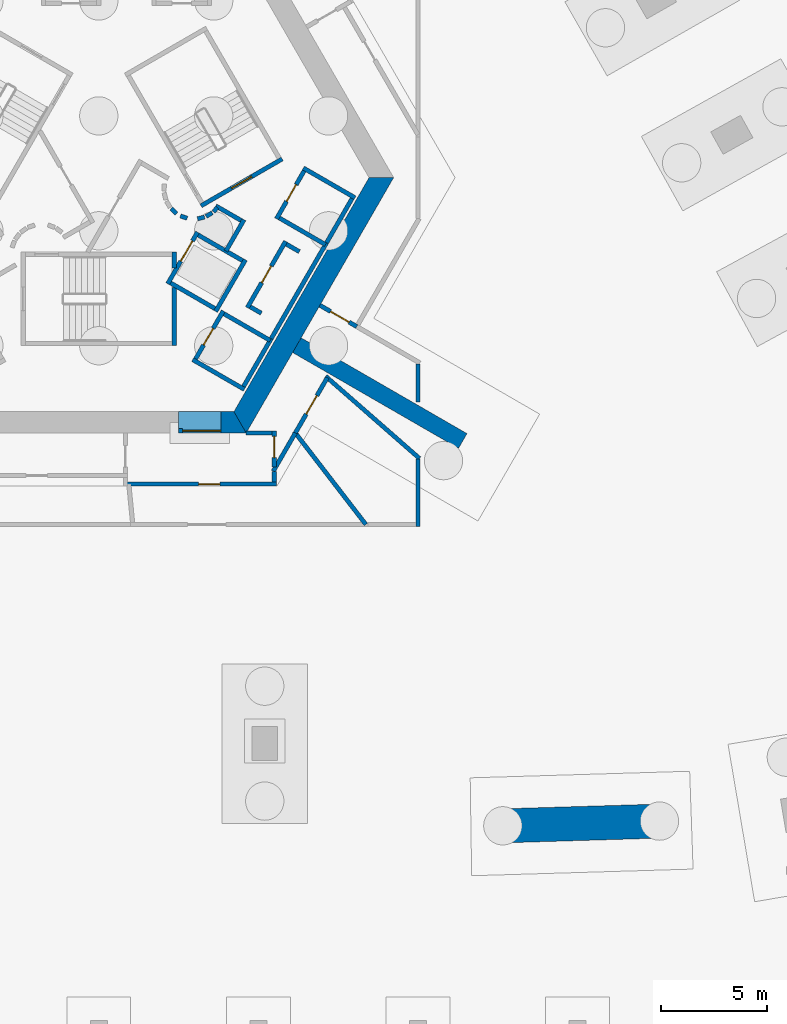
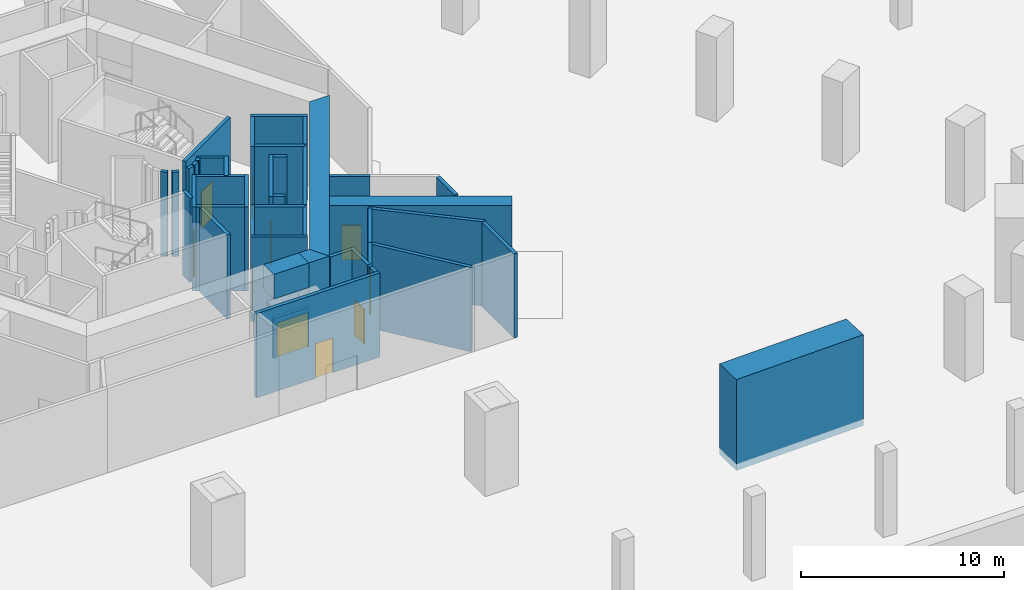
# One storey, part 7 of 14: 43 walls, 10 doors, 10 openings.
"""IFC4 building model written with IfcOpenShell, lengths in metres."""

from ifc_helpers import new_model, si_unit, direction, frame, frame_2d, origin, place, context, subcontext, project, spatial, polyline, rectangle, outline, extrude, material, layer, layer_set, type_object, element, fill, save


model = new_model("IFC4")

# Units and contexts
model_context = context("Model", 3, precision=1e-05, world=origin(), true_north=direction((0.0, 1.0)))
body_context = subcontext(model_context, "Body", "Model", "MODEL_VIEW")
ifc_project = project(units=[si_unit("LENGTHUNIT", "METRE"), si_unit("AREAUNIT", "SQUARE_METRE"), si_unit("VOLUMEUNIT", "CUBIC_METRE"), si_unit("PLANEANGLEUNIT", "RADIAN"), si_unit("MASSUNIT", "GRAM", prefix="KILO")], contexts=[model_context])

# Site, building, storey
site_placement = place(None, origin())
site = spatial("IfcSite", under=ifc_project, at=site_placement, CompositionType="ELEMENT")
building_placement = place(site_placement, origin())
building = spatial("IfcBuilding", under=site, at=building_placement, Name="Entoto Arch Interchange Tower", CompositionType="ELEMENT")
storey_placement = place(building_placement, frame((0.0, 0.0, -16.5)))
storey = spatial("IfcBuildingStorey", under=building, at=storey_placement, Name="B3", CompositionType="ELEMENT", Elevation=-16.5)

# Walls
ifc_material_1 = material(Name="Concrete C60/75", Category="concrete")
ifc_layer_1 = layer(ifc_material_1, 1.60009765625)
ifc_layer_set_1 = layer_set([ifc_layer_1], Name="Concrete C60/75")
wall_type_1 = type_object("IfcWallType", Name="Arch leg wall 1600 C60/75", PredefinedType="SHEAR", material=ifc_layer_set_1)
wall_1_placement = place(storey_placement, frame((0.0, 0.0, -0.39990234375)))
element("IfcWall", 1, at=wall_1_placement, inside=storey, type_object=wall_type_1, Name="Arch leg E B3", PredefinedType="SHEAR", context=body_context, shape_type="SweptSolid", body=[
    extrude(outline(polyline([(19.0, -28.761962890625), (26.376953125, -28.5400390625), (26.321044921875, -26.94091796875), (18.97607421875, -27.162109375), (19.0, -28.761962890625)])), origin(), (0.0, 0.0, 1.0), 5.47998046875),
])
ifc_layer_2 = layer(ifc_material_1, 0.800048828125)
ifc_layer_set_2 = layer_set([ifc_layer_2], Name="Concrete C60/75")
wall_type_2 = type_object("IfcWallType", Name="Buttress wall 800 C60/75", PredefinedType="SHEAR", material=ifc_layer_set_2)
wall_2_placement = place(storey_placement, frame((9.31005859375, -5.375, 0.0), z_axis=(0.0, 0.0, 1.0), x_axis=(0.866017533419, -0.500013631625, 0.0)))
element("IfcWall", 2, at=wall_2_placement, inside=storey, type_object=wall_type_2, Name="Buttress wall SE B3", PredefinedType="SHEAR", context=body_context, shape_type="SweptSolid", body=[
    extrude(rectangle(XDim=8.999755859375, YDim=0.800048828125, at=frame_2d((4.5, 0.0))), origin(), (0.0, 0.0, 1.0), 5.080078125),
])

# Wall, opening, door
ifc_material_2 = material(Name="Reinforced concrete C40/50", Category="concrete")
ifc_layer_3 = layer(ifc_material_2, 0.199951171875)
ifc_layer_set_3 = layer_set([ifc_layer_3], Name="Reinforced concrete C40/50")
wall_type_3 = type_object("IfcWallType", Name="CORE GAP INFILL WALL", PredefinedType="PARTITIONING", material=ifc_layer_set_3)
wall_3_placement = place(storey_placement, frame((3.75, -9.39990234375, 0.0), z_axis=(0.0, 0.0, 1.0), x_axis=(1.0, 0.0, 0.0)))
wall_3 = element("IfcWall", 3, at=wall_3_placement, inside=storey, type_object=wall_type_3, Name="wall:B3:gap1", PredefinedType="PARTITIONING", context=body_context, shape_type="SweptSolid", body=[
    extrude(rectangle(XDim=2.0, YDim=0.199951171875, at=frame_2d((1.0, 0.0))), origin(), (0.0, 0.0, 1.0), 2.39990234375),
])
opening_1_placement = place(wall_3_placement, frame((0.18994140625, 0.0, 0.0)))
opening_1 = element("IfcOpeningElement", 4, at=opening_1_placement, cuts=wall_3, Name="Opening B3-D91", PredefinedType="OPENING", context=body_context, shape_type="SweptSolid", body=[
    extrude(rectangle(XDim=1.800048828125, YDim=2.10009765625, at=frame_2d((0.89990234375, 1.050048828125))), frame((0.0, 0.10986328125, 0.0), z_axis=(0.0, -1.0, 0.0), x_axis=(1.0, 0.0, 0.0)), (0.0, 0.0, 1.0), 0.219970703125),
])
ifc_material_3 = material(Name="Fire-rated Steel S235 door and frame", Category="steel")
door_type_1 = type_object("IfcDoorType", Name="DOOR FD-18 1800x2100", OperationType="DOUBLE_DOOR_SINGLE_SWING", PredefinedType="DOOR", material=ifc_material_3)
door_1_placement = place(opening_1_placement, origin())
door_1 = element("IfcDoor", 5, at=door_1_placement, inside=storey, type_object=door_type_1, Name="door:B3:gap1", OperationType="DOUBLE_DOOR_SINGLE_SWING", OverallHeight=2.10009765625, OverallWidth=1.800048828125, PredefinedType="DOOR", context=body_context, shape_type="SweptSolid", body=[
    extrude(rectangle(XDim=1.800048828125, YDim=2.10009765625, at=frame_2d((0.89990234375, 1.050048828125))), frame((0.0, 0.02490234375, 0.0), z_axis=(0.0, -1.0, 0.0), x_axis=(1.0, 0.0, 0.0)), (0.0, 0.0, 1.0), 0.050048828125),
])
fill(opening_1, door_1)

# Walls
ifc_layer_4 = layer(ifc_material_1, 1.0)
ifc_layer_set_4 = layer_set([ifc_layer_4], Name="Concrete C60/75")
wall_type_4 = type_object("IfcWallType", Name="Core wall 1000 C60/75", PredefinedType="SHEAR", material=ifc_layer_set_4)
wall_4_placement = place(storey_placement, origin())
element("IfcWall", 6, at=wall_4_placement, inside=storey, type_object=wall_type_4, Name="Core wall S B3", PredefinedType="SHEAR", context=body_context, shape_type="SweptSolid", body=[
    extrude(outline(polyline([(5.75, -8.5), (5.75, -9.5), (6.927978515625, -9.5), (6.35107421875, -8.5), (5.75, -8.5)])), origin(), (0.0, 0.0, 1.0), 5.080078125),
])
wall_5_placement = place(storey_placement, frame((0.0, 0.0, 3.60009765625)))
element("IfcWall", 7, at=wall_5_placement, inside=storey, type_object=wall_type_4, Name="Core wall lintel S B3", PredefinedType="SHEAR", context=body_context, shape_type="SweptSolid", body=[
    extrude(outline(polyline([(5.75, -9.5), (5.75, -8.5), (3.75, -8.5), (3.75, -9.5), (5.75, -9.5)])), origin(), (0.0, 0.0, 1.0), 1.47998046875),
])
wall_6_placement = place(storey_placement, origin())
element("IfcWall", 8, at=wall_6_placement, inside=storey, type_object=wall_type_4, Name="Core wall SE B3", PredefinedType="SHEAR", context=body_context, shape_type="SweptSolid", body=[
    extrude(outline(polyline([(6.927978515625, -9.5), (13.85595703125, 2.5), (12.701904296875, 2.5), (6.35107421875, -8.5), (6.927978515625, -9.5)])), origin(), (0.0, 0.0, 1.0), 5.080078125),
])

# Wall, opening, door
ifc_material_4 = material(Name="Concrete C40/50", Category="concrete")
ifc_layer_5 = layer(ifc_material_4, 0.199951171875)
ifc_layer_set_5 = layer_set([ifc_layer_5], Name="Concrete C40/50")
wall_type_5 = type_object("IfcWallType", Name="LIFT SHAFT WALL 200", PredefinedType="STANDARD", material=ifc_layer_set_5)
wall_7_placement = place(storey_placement, frame((3.239990234375, -2.488037109375, 0.0), z_axis=(0.0, 0.0, 1.0), x_axis=(0.49994636267, 0.866056369097, 0.0)))
wall_7 = element("IfcWall", 9, at=wall_7_placement, inside=storey, type_object=wall_type_5, Name="Shaft wall SE1 front", PredefinedType="STANDARD", context=body_context, shape_type="SweptSolid", body=[
    extrude(rectangle(XDim=2.800048828125, YDim=0.199951171875, at=frame_2d((1.39990234375, 0.0))), origin(), (0.0, 0.0, 1.0), 5.080078125),
])
opening_2_placement = place(wall_7_placement, frame((1.22509765625, 0.0, 0.0)))
opening_2 = element("IfcOpeningElement", 10, at=opening_2_placement, cuts=wall_7, Name="Opening LD-FF1-B3", PredefinedType="OPENING", context=body_context, shape_type="SweptSolid", body=[
    extrude(rectangle(XDim=1.10009765625, YDim=2.10009765625, at=frame_2d((0.550048828125, 1.050048828125))), frame((0.0, 0.10986328125, 0.0), z_axis=(0.0, -1.0, 0.0), x_axis=(1.0, 0.0, 0.0)), (0.0, 0.0, 1.0), 0.219970703125),
])
ifc_material_5 = material(Name="Stainless steel 1.4301 panels", Category="steel")
door_type_2 = type_object("IfcDoorType", Name="LIFT LANDING DOOR LD1 1100x2100", OperationType="SLIDING_TO_LEFT", PredefinedType="DOOR", material=ifc_material_5)
door_2_placement = place(opening_2_placement, origin())
door_2 = element("IfcDoor", 11, at=door_2_placement, inside=storey, type_object=door_type_2, Name="Lift landing door FF1 B3", OperationType="SLIDING_TO_LEFT", OverallHeight=2.10009765625, OverallWidth=1.10009765625, PredefinedType="DOOR", context=body_context, shape_type="SweptSolid", body=[
    extrude(rectangle(XDim=1.10009765625, YDim=2.10009765625, at=frame_2d((0.550048828125, 1.050048828125))), frame((0.0, 0.02490234375, 0.0), z_axis=(0.0, -1.0, 0.0), x_axis=(1.0, 0.0, 0.0)), (0.0, 0.0, 1.0), 0.050048828125),
])
fill(opening_2, door_2)

# Walls
wall_8_placement = place(storey_placement, frame((5.491943359375, -3.7880859375, 0.0), z_axis=(0.0, 0.0, 1.0), x_axis=(0.500011755427, 0.866018616679, 0.0)))
element("IfcWall", 12, at=wall_8_placement, inside=storey, type_object=wall_type_5, Name="Shaft wall SE1 back", PredefinedType="STANDARD", context=body_context, shape_type="SweptSolid", body=[
    extrude(rectangle(XDim=2.80029296875, YDim=0.199951171875, at=frame_2d((1.400146484375, 0.0))), origin(), (0.0, 0.0, 1.0), 5.080078125),
])
wall_9_placement = place(storey_placement, frame((3.376953125, -2.451904296875, 0.0), z_axis=(0.0, 0.0, 1.0), x_axis=(0.865955154139, -0.50012165622, 0.0)))
element("IfcWall", 13, at=wall_9_placement, inside=storey, type_object=wall_type_5, Name="Shaft wall SE1 cross 1", PredefinedType="STANDARD", context=body_context, shape_type="SweptSolid", body=[
    extrude(rectangle(XDim=2.39990234375, YDim=0.199951171875, at=frame_2d((1.199951171875, 0.0))), origin(), (0.0, 0.0, 1.0), 5.080078125),
])
wall_10_placement = place(storey_placement, frame((4.677001953125, -0.199951171875, 0.0), z_axis=(0.0, 0.0, 1.0), x_axis=(0.865973769406, -0.500089422704, 0.0)))
element("IfcWall", 14, at=wall_10_placement, inside=storey, type_object=wall_type_5, Name="Shaft wall SE1 cross 2", PredefinedType="STANDARD", context=body_context, shape_type="SweptSolid", body=[
    extrude(rectangle(XDim=2.3994140625, YDim=0.199951171875, at=frame_2d((1.19970703125, 0.0))), origin(), (0.0, 0.0, 1.0), 5.080078125),
])

# Wall, opening, door
ifc_material_6 = material(Name="Gypsum board partition on steel studs", Category="steel")
ifc_layer_6 = layer(ifc_material_6, 0.199951171875)
ifc_layer_set_6 = layer_set([ifc_layer_6], Name="Gypsum board partition on steel studs")
wall_type_6 = type_object("IfcWallType", Name="PARTITION 200", PredefinedType="PARTITIONING", material=ifc_layer_set_6)
wall_11_placement = place(storey_placement, frame((8.25, -9.39990234375, 0.0), z_axis=(0.0, 0.0, 1.0), x_axis=(0.0, -1.0, 0.0)))
wall_11 = element("IfcWall", 15, at=wall_11_placement, inside=storey, type_object=wall_type_6, Name="wall:B3:p002", PredefinedType="PARTITIONING", context=body_context, shape_type="SweptSolid", body=[
    extrude(rectangle(XDim=1.710205078125, YDim=0.199951171875, at=frame_2d((0.85498046875, 0.0))), origin(), (0.0, 0.0, 1.0), 5.080078125),
])
opening_3_placement = place(wall_11_placement, frame((0.261962890625, 0.0, 0.0)))
opening_3 = element("IfcOpeningElement", 16, at=opening_3_placement, cuts=wall_11, Name="Opening B3-D02", PredefinedType="OPENING", context=body_context, shape_type="SweptSolid", body=[
    extrude(rectangle(XDim=1.0, YDim=2.10009765625, at=frame_2d((0.5, 1.050048828125))), frame((0.0, 0.10986328125, 0.0), z_axis=(0.0, -1.0, 0.0), x_axis=(1.0, 0.0, 0.0)), (0.0, 0.0, 1.0), 0.219970703125),
])
door_type_3 = type_object("IfcDoorType", Name="DOOR FD-10 1000x2100", OperationType="SINGLE_SWING_LEFT", PredefinedType="DOOR", material=ifc_material_3)
door_3_placement = place(opening_3_placement, origin())
door_3 = element("IfcDoor", 17, at=door_3_placement, inside=storey, type_object=door_type_3, Name="door:B3:02", OperationType="SINGLE_SWING_RIGHT", OverallHeight=2.10009765625, OverallWidth=1.0, PredefinedType="DOOR", context=body_context, shape_type="SweptSolid", body=[
    extrude(rectangle(XDim=1.0, YDim=2.10009765625, at=frame_2d((0.5, 1.050048828125))), frame((0.0, 0.02490234375, 0.0), z_axis=(0.0, -1.0, 0.0), x_axis=(1.0, 0.0, 0.0)), (0.0, 0.0, 1.0), 0.050048828125),
])
fill(opening_3, door_3)

# Walls
wall_12_placement = place(storey_placement, frame((6.927978515625, -9.5, 0.0), z_axis=(0.0, 0.0, 1.0), x_axis=(1.0, 0.0, 0.0)))
element("IfcWall", 18, at=wall_12_placement, inside=storey, type_object=wall_type_6, Name="wall:B3:p003", PredefinedType="PARTITIONING", context=body_context, shape_type="SweptSolid", body=[
    extrude(rectangle(XDim=1.221923828125, YDim=0.199951171875, at=frame_2d((0.61083984375, 0.0))), origin(), (0.0, 0.0, 1.0), 5.080078125),
])
wall_13_placement = place(storey_placement, frame((8.25, -11.31005859375, 0.0), z_axis=(0.0, 0.0, 1.0), x_axis=(0.0, -1.0, 0.0)))
element("IfcWall", 19, at=wall_13_placement, inside=storey, type_object=wall_type_6, Name="wall:B3:p004", PredefinedType="PARTITIONING", context=body_context, shape_type="SweptSolid", body=[
    extrude(rectangle(XDim=0.489990234375, YDim=0.199951171875, at=frame_2d((0.2451171875, 0.0))), origin(), (0.0, 0.0, 1.0), 5.080078125),
])

# Wall, opening, door
wall_14_placement = place(storey_placement, frame((8.35009765625, -11.89990234375, 0.0), z_axis=(0.0, 0.0, 1.0), x_axis=(-1.0, 0.0, 0.0)))
wall_14 = element("IfcWall", 20, at=wall_14_placement, inside=storey, type_object=wall_type_6, Name="wall:B3:p005", PredefinedType="PARTITIONING", context=body_context, shape_type="SweptSolid", body=[
    extrude(rectangle(XDim=7.0390625, YDim=0.199951171875, at=frame_2d((3.51953125, 0.0))), origin(), (0.0, 0.0, 1.0), 5.080078125),
])
opening_4_placement = place(wall_14_placement, frame((2.658935546875, 0.0, 0.0)))
opening_4 = element("IfcOpeningElement", 21, at=opening_4_placement, cuts=wall_14, Name="Opening B3-D03", PredefinedType="OPENING", context=body_context, shape_type="SweptSolid", body=[
    extrude(rectangle(XDim=1.0, YDim=2.10009765625, at=frame_2d((0.5, 1.050048828125))), frame((0.0, 0.10986328125, 0.0), z_axis=(0.0, -1.0, 0.0), x_axis=(1.0, 0.0, 0.0)), (0.0, 0.0, 1.0), 0.219970703125),
])
door_4_placement = place(opening_4_placement, origin())
door_4 = element("IfcDoor", 22, at=door_4_placement, inside=storey, type_object=door_type_3, Name="door:B3:03", OperationType="SINGLE_SWING_LEFT", OverallHeight=2.10009765625, OverallWidth=1.0, PredefinedType="DOOR", context=body_context, shape_type="SweptSolid", body=[
    extrude(rectangle(XDim=1.0, YDim=2.10009765625, at=frame_2d((0.5, 1.050048828125))), frame((0.0, 0.02490234375, 0.0), z_axis=(0.0, -1.0, 0.0), x_axis=(1.0, 0.0, 0.0)), (0.0, 0.0, 1.0), 0.050048828125),
])
fill(opening_4, door_4)

# Wall
wall_15_placement = place(storey_placement, frame((9.238037109375, -9.498046875, 0.0), z_axis=(0.0, 0.0, 1.0), x_axis=(-0.499780113518, -0.866152318089, 0.0)))
element("IfcWall", 23, at=wall_15_placement, inside=storey, type_object=wall_type_6, Name="wall:B3:p011", PredefinedType="PARTITIONING", context=body_context, shape_type="SweptSolid", body=[
    extrude(rectangle(XDim=2.0771484375, YDim=0.199951171875, at=frame_2d((1.03857421875, 0.0))), origin(), (0.0, 0.0, 1.0), 5.080078125),
])

# Wall, opening, door
wall_16_placement = place(storey_placement, frame((10.738037109375, -6.90087890625, 0.0), z_axis=(0.0, 0.0, 1.0), x_axis=(-0.500131122175, -0.865949687125, 0.0)))
wall_16 = element("IfcWall", 24, at=wall_16_placement, inside=storey, type_object=wall_type_6, Name="wall:B3:p012", PredefinedType="PARTITIONING", context=body_context, shape_type="SweptSolid", body=[
    extrude(rectangle(XDim=2.999267578125, YDim=0.199951171875, at=frame_2d((1.49951171875, 0.0))), origin(), (0.0, 0.0, 1.0), 5.080078125),
])
opening_5_placement = place(wall_16_placement, frame((0.971923828125, 0.0, 0.0)))
opening_5 = element("IfcOpeningElement", 25, at=opening_5_placement, cuts=wall_16, Name="Opening B3-D06", PredefinedType="OPENING", context=body_context, shape_type="SweptSolid", body=[
    extrude(rectangle(XDim=1.0, YDim=2.10009765625, at=frame_2d((0.5, 1.050048828125))), frame((0.0, 0.10986328125, 0.0), z_axis=(0.0, -1.0, 0.0), x_axis=(1.0, 0.0, 0.0)), (0.0, 0.0, 1.0), 0.219970703125),
])
door_5_placement = place(opening_5_placement, origin())
door_5 = element("IfcDoor", 26, at=door_5_placement, inside=storey, type_object=door_type_3, Name="door:B3:06", OperationType="SINGLE_SWING_RIGHT", OverallHeight=2.10009765625, OverallWidth=1.0, PredefinedType="DOOR", context=body_context, shape_type="SweptSolid", body=[
    extrude(rectangle(XDim=1.0, YDim=2.10009765625, at=frame_2d((0.5, 1.050048828125))), frame((0.0, 0.02490234375, 0.0), z_axis=(0.0, -1.0, 0.0), x_axis=(1.0, 0.0, 0.0)), (0.0, 0.0, 1.0), 0.050048828125),
])
fill(opening_5, door_5)

# Walls
wall_17_placement = place(storey_placement, frame((9.177001953125, -9.4189453125, 0.0), z_axis=(0.0, 0.0, 1.0), x_axis=(0.610158732695, -0.792279193792, 0.0)))
element("IfcWall", 27, at=wall_17_placement, inside=storey, type_object=wall_type_6, Name="wall:B3:p015", PredefinedType="PARTITIONING", context=body_context, shape_type="SweptSolid", body=[
    extrude(rectangle(XDim=5.52978515625, YDim=0.199951171875, at=frame_2d((2.764892578125, 0.0))), origin(), (0.0, 0.0, 1.0), 5.080078125),
])
wall_18_placement = place(storey_placement, frame((10.6630859375, -6.8349609375, 0.0), z_axis=(0.0, 0.0, 1.0), x_axis=(0.752269740493, -0.658855247788, 0.0)))
element("IfcWall", 28, at=wall_18_placement, inside=storey, type_object=wall_type_6, Name="wall:B3:p023", PredefinedType="PARTITIONING", context=body_context, shape_type="SweptSolid", body=[
    extrude(rectangle(XDim=5.86474609375, YDim=0.199951171875, at=frame_2d((2.932373046875, 0.0))), origin(), (0.0, 0.0, 1.0), 5.080078125),
])
wall_19_placement = place(storey_placement, frame((15.0, -10.73291015625, 0.0), z_axis=(0.0, 0.0, 1.0), x_axis=(0.0, -1.0, 0.0)))
element("IfcWall", 29, at=wall_19_placement, inside=storey, type_object=wall_type_6, Name="wall:B3:p024", PredefinedType="PARTITIONING", context=body_context, shape_type="SweptSolid", body=[
    extrude(rectangle(XDim=3.1669921875, YDim=0.199951171875, at=frame_2d((1.58349609375, 0.0))), origin(), (0.0, 0.0, 1.0), 5.080078125),
])

# Wall, opening, door
wall_20_placement = place(storey_placement, frame((10.39208984375, -3.5, 0.0), z_axis=(0.0, 0.0, 1.0), x_axis=(0.866010750942, -0.50002537861, 0.0)))
wall_20 = element("IfcWall", 30, at=wall_20_placement, inside=storey, type_object=wall_type_6, Name="wall:B3:p025", PredefinedType="PARTITIONING", context=body_context, shape_type="SweptSolid", body=[
    extrude(rectangle(XDim=2.0, YDim=0.199951171875, at=frame_2d((1.0, 0.0))), origin(), (0.0, 0.0, 1.0), 5.080078125),
])
opening_6_placement = place(wall_20_placement, frame((0.580078125, 0.0, 0.0)))
opening_6 = element("IfcOpeningElement", 31, at=opening_6_placement, cuts=wall_20, Name="Opening B3-D19", PredefinedType="OPENING", context=body_context, shape_type="SweptSolid", body=[
    extrude(rectangle(XDim=1.0, YDim=2.10009765625, at=frame_2d((0.5, 1.050048828125))), frame((0.0, 0.10986328125, 0.0), z_axis=(0.0, -1.0, 0.0), x_axis=(1.0, 0.0, 0.0)), (0.0, 0.0, 1.0), 0.219970703125),
])
ifc_material_7 = material(Name="Timber door leaf in Steel S235 frame", Category="steel")
door_type_4 = type_object("IfcDoorType", Name="DOOR DS-10 1000x2100", OperationType="SINGLE_SWING_LEFT", PredefinedType="DOOR", material=ifc_material_7)
door_6_placement = place(opening_6_placement, origin())
door_6 = element("IfcDoor", 32, at=door_6_placement, inside=storey, type_object=door_type_4, Name="door:B3:19", OperationType="SINGLE_SWING_LEFT", OverallHeight=2.10009765625, OverallWidth=1.0, PredefinedType="DOOR", context=body_context, shape_type="SweptSolid", body=[
    extrude(rectangle(XDim=1.0, YDim=2.10009765625, at=frame_2d((0.5, 1.050048828125))), frame((0.0, 0.02490234375, 0.0), z_axis=(0.0, -1.0, 0.0), x_axis=(1.0, 0.0, 0.0)), (0.0, 0.0, 1.0), 0.050048828125),
])
fill(opening_6, door_6)

# Walls
wall_21_placement = place(storey_placement, frame((15.0, -6.260009765625, 0.0), z_axis=(0.0, 0.0, 1.0), x_axis=(0.0, -1.0, 0.0)))
element("IfcWall", 33, at=wall_21_placement, inside=storey, type_object=wall_type_6, Name="wall:B3:p028", PredefinedType="PARTITIONING", context=body_context, shape_type="SweptSolid", body=[
    extrude(rectangle(XDim=1.781005859375, YDim=0.199951171875, at=frame_2d((0.890625, 0.0))), origin(), (0.0, 0.0, 1.0), 5.080078125),
])
wall_22_placement = place(storey_placement, frame((6.840087890625, -7.452880859375, 0.0), z_axis=(0.0, 0.0, 1.0), x_axis=(-0.866056369097, 0.49994636267, 0.0)))
element("IfcWall", 34, at=wall_22_placement, inside=storey, type_object=wall_type_6, Name="wall:B3:p077", PredefinedType="PARTITIONING", context=body_context, shape_type="SweptSolid", body=[
    extrude(rectangle(XDim=2.800048828125, YDim=0.199951171875, at=frame_2d((1.39990234375, 0.0))), origin(), (0.0, 0.0, 1.0), 5.080078125),
])

# Wall, opening, door
wall_23_placement = place(storey_placement, frame((4.551025390625, -6.01708984375, 0.0), z_axis=(0.0, 0.0, 1.0), x_axis=(0.499925626596, 0.866068339032, 0.0)))
wall_23 = element("IfcWall", 35, at=wall_23_placement, inside=storey, type_object=wall_type_6, Name="wall:B3:p078", PredefinedType="PARTITIONING", context=body_context, shape_type="SweptSolid", body=[
    extrude(rectangle(XDim=2.6005859375, YDim=0.199951171875, at=frame_2d((1.30029296875, 0.0))), origin(), (0.0, 0.0, 1.0), 5.080078125),
])
opening_7_placement = place(wall_23_placement, frame((0.75, 0.0, 0.0)))
opening_7 = element("IfcOpeningElement", 36, at=opening_7_placement, cuts=wall_23, Name="Opening B3-D27", PredefinedType="OPENING", context=body_context, shape_type="SweptSolid", body=[
    extrude(rectangle(XDim=0.89990234375, YDim=2.10009765625, at=frame_2d((0.449951171875, 1.050048828125))), frame((0.0, 0.10986328125, 0.0), z_axis=(0.0, -1.0, 0.0), x_axis=(1.0, 0.0, 0.0)), (0.0, 0.0, 1.0), 0.219970703125),
])
door_type_5 = type_object("IfcDoorType", Name="DOOR DS-09 900x2100", OperationType="SINGLE_SWING_LEFT", PredefinedType="DOOR", material=ifc_material_7)
door_7_placement = place(opening_7_placement, origin())
door_7 = element("IfcDoor", 37, at=door_7_placement, inside=storey, type_object=door_type_5, Name="door:B3:27", OperationType="SINGLE_SWING_RIGHT", OverallHeight=2.10009765625, OverallWidth=0.89990234375, PredefinedType="DOOR", context=body_context, shape_type="SweptSolid", body=[
    extrude(rectangle(XDim=0.89990234375, YDim=2.10009765625, at=frame_2d((0.449951171875, 1.050048828125))), frame((0.0, 0.02490234375, 0.0), z_axis=(0.0, -1.0, 0.0), x_axis=(1.0, 0.0, 0.0)), (0.0, 0.0, 1.0), 0.050048828125),
])
fill(opening_7, door_7)

# Walls
wall_24_placement = place(storey_placement, frame((5.887939453125, -3.902099609375, 0.0), z_axis=(0.0, 0.0, 1.0), x_axis=(0.866022959057, -0.500004234368, 0.0)))
element("IfcWall", 38, at=wall_24_placement, inside=storey, type_object=wall_type_6, Name="wall:B3:p079", PredefinedType="PARTITIONING", context=body_context, shape_type="SweptSolid", body=[
    extrude(rectangle(XDim=2.5, YDim=0.199951171875, at=frame_2d((1.25, 0.0))), origin(), (0.0, 0.0, 1.0), 5.080078125),
])
wall_25_placement = place(storey_placement, frame((8.10302734375, -5.06494140625, 0.0), z_axis=(0.0, 0.0, 1.0), x_axis=(-0.49996627774, -0.866044872465, 0.0)))
element("IfcWall", 39, at=wall_25_placement, inside=storey, type_object=wall_type_6, Name="wall:B3:p080", PredefinedType="PARTITIONING", context=body_context, shape_type="SweptSolid", body=[
    extrude(rectangle(XDim=2.600341796875, YDim=0.199951171875, at=frame_2d((1.30029296875, 0.0))), origin(), (0.0, 0.0, 1.0), 5.080078125),
])
wall_26_placement = place(storey_placement, frame((7.636962890625, -3.8720703125, 0.0), z_axis=(0.0, 0.0, 1.0), x_axis=(-0.866158505053, 0.499769390944, 0.0)))
element("IfcWall", 40, at=wall_26_placement, inside=storey, type_object=wall_type_6, Name="wall:B3:p081", PredefinedType="PARTITIONING", context=body_context, shape_type="SweptSolid", body=[
    extrude(rectangle(XDim=0.600341796875, YDim=0.199951171875, at=frame_2d((0.30029296875, 0.0))), origin(), (0.0, 0.0, 1.0), 5.080078125),
])

# Wall, opening, door
wall_27_placement = place(storey_placement, frame((6.98095703125, -3.60888671875, 0.0), z_axis=(0.0, 0.0, 1.0), x_axis=(0.499982693035, 0.866035395735, 0.0)))
wall_27 = element("IfcWall", 41, at=wall_27_placement, inside=storey, type_object=wall_type_6, Name="wall:B3:p082", PredefinedType="PARTITIONING", context=body_context, shape_type="SweptSolid", body=[
    extrude(rectangle(XDim=3.600341796875, YDim=0.199951171875, at=frame_2d((1.80029296875, 0.0))), origin(), (0.0, 0.0, 1.0), 5.080078125),
])
opening_8_placement = place(wall_27_placement, frame((1.35009765625, 0.0, 0.0)))
opening_8 = element("IfcOpeningElement", 42, at=opening_8_placement, cuts=wall_27, Name="Opening B3-D28", PredefinedType="OPENING", context=body_context, shape_type="SweptSolid", body=[
    extrude(rectangle(XDim=0.89990234375, YDim=2.10009765625, at=frame_2d((0.449951171875, 1.050048828125))), frame((0.0, 0.10986328125, 0.0), z_axis=(0.0, -1.0, 0.0), x_axis=(1.0, 0.0, 0.0)), (0.0, 0.0, 1.0), 0.219970703125),
])
door_8_placement = place(opening_8_placement, origin())
door_8 = element("IfcDoor", 43, at=door_8_placement, inside=storey, type_object=door_type_5, Name="door:B3:28", OperationType="SINGLE_SWING_RIGHT", OverallHeight=2.10009765625, OverallWidth=0.89990234375, PredefinedType="DOOR", context=body_context, shape_type="SweptSolid", body=[
    extrude(rectangle(XDim=0.89990234375, YDim=2.10009765625, at=frame_2d((0.449951171875, 1.050048828125))), frame((0.0, 0.02490234375, 0.0), z_axis=(0.0, -1.0, 0.0), x_axis=(1.0, 0.0, 0.0)), (0.0, 0.0, 1.0), 0.050048828125),
])
fill(opening_8, door_8)

# Walls
wall_28_placement = place(storey_placement, frame((8.81689453125, -0.6279296875, 0.0), z_axis=(0.0, 0.0, 1.0), x_axis=(0.866307342011, -0.4995113504, 0.0)))
element("IfcWall", 44, at=wall_28_placement, inside=storey, type_object=wall_type_6, Name="wall:B3:p083", PredefinedType="PARTITIONING", context=body_context, shape_type="SweptSolid", body=[
    extrude(rectangle(XDim=0.700927734375, YDim=0.199951171875, at=frame_2d((0.3505859375, 0.0))), origin(), (0.0, 0.0, 1.0), 5.080078125),
])
wall_29_placement = place(storey_placement, frame((10.702880859375, -0.56201171875, 0.0), z_axis=(0.0, 0.0, 1.0), x_axis=(-0.500012382935, -0.866018254376, 0.0)))
element("IfcWall", 45, at=wall_29_placement, inside=storey, type_object=wall_type_6, Name="wall:B3:p084", PredefinedType="PARTITIONING", context=body_context, shape_type="SweptSolid", body=[
    extrude(rectangle(XDim=5.199462890625, YDim=0.199951171875, at=frame_2d((2.599609375, 0.0))), origin(), (0.0, 0.0, 1.0), 5.080078125),
])
wall_30_placement = place(storey_placement, frame((10.653076171875, -0.64794921875, 0.0), z_axis=(0.0, 0.0, 1.0), x_axis=(-0.866022959057, 0.500004234368, 0.0)))
element("IfcWall", 46, at=wall_30_placement, inside=storey, type_object=wall_type_6, Name="wall:B3:p085", PredefinedType="PARTITIONING", context=body_context, shape_type="SweptSolid", body=[
    extrude(rectangle(XDim=2.5, YDim=0.199951171875, at=frame_2d((1.25, 0.0))), origin(), (0.0, 0.0, 1.0), 5.080078125),
])
wall_31_placement = place(storey_placement, frame((11.903076171875, 1.51708984375, 0.0), z_axis=(0.0, 0.0, 1.0), x_axis=(-0.499945471869, -0.866056883327, 0.0)))
element("IfcWall", 47, at=wall_31_placement, inside=storey, type_object=wall_type_6, Name="wall:B3:p086", PredefinedType="PARTITIONING", context=body_context, shape_type="SweptSolid", body=[
    extrude(rectangle(XDim=2.400634765625, YDim=0.199951171875, at=frame_2d((1.2001953125, 0.0))), origin(), (0.0, 0.0, 1.0), 5.080078125),
])

# Wall, opening, door
wall_32_placement = place(storey_placement, frame((8.35107421875, 0.56494140625, 0.0), z_axis=(0.0, 0.0, 1.0), x_axis=(0.49989585183, 0.866085525409, 0.0)))
wall_32 = element("IfcWall", 48, at=wall_32_placement, inside=storey, type_object=wall_type_6, Name="wall:B3:p087", PredefinedType="PARTITIONING", context=body_context, shape_type="SweptSolid", body=[
    extrude(rectangle(XDim=2.60009765625, YDim=0.199951171875, at=frame_2d((1.300048828125, 0.0))), origin(), (0.0, 0.0, 1.0), 5.080078125),
])
opening_9_placement = place(wall_32_placement, frame((0.949951171875, 0.0, 0.0)))
opening_9 = element("IfcOpeningElement", 49, at=opening_9_placement, cuts=wall_32, Name="Opening B3-D29", PredefinedType="OPENING", context=body_context, shape_type="SweptSolid", body=[
    extrude(rectangle(XDim=0.89990234375, YDim=2.10009765625, at=frame_2d((0.449951171875, 1.050048828125))), frame((0.0, 0.10986328125, 0.0), z_axis=(0.0, -1.0, 0.0), x_axis=(1.0, 0.0, 0.0)), (0.0, 0.0, 1.0), 0.219970703125),
])
door_9_placement = place(opening_9_placement, origin())
door_9 = element("IfcDoor", 50, at=door_9_placement, inside=storey, type_object=door_type_5, Name="door:B3:29", OperationType="SINGLE_SWING_LEFT", OverallHeight=2.10009765625, OverallWidth=0.89990234375, PredefinedType="DOOR", context=body_context, shape_type="SweptSolid", body=[
    extrude(rectangle(XDim=0.89990234375, YDim=2.10009765625, at=frame_2d((0.449951171875, 1.050048828125))), frame((0.0, 0.02490234375, 0.0), z_axis=(0.0, -1.0, 0.0), x_axis=(1.0, 0.0, 0.0)), (0.0, 0.0, 1.0), 0.050048828125),
])
fill(opening_9, door_9)

# Walls
wall_33_placement = place(storey_placement, frame((9.614990234375, 2.952880859375, 0.0), z_axis=(0.0, 0.0, 1.0), x_axis=(0.866056369097, -0.49994636267, 0.0)))
element("IfcWall", 51, at=wall_33_placement, inside=storey, type_object=wall_type_6, Name="wall:B3:p088", PredefinedType="PARTITIONING", context=body_context, shape_type="SweptSolid", body=[
    extrude(rectangle(XDim=2.800048828125, YDim=0.199951171875, at=frame_2d((1.39990234375, 0.0))), origin(), (0.0, 0.0, 1.0), 5.080078125),
])
wall_34_placement = place(storey_placement, frame((3.404052734375, 1.0390625, 0.0), z_axis=(0.0, 0.0, 1.0), x_axis=(0.740267097712, -0.672312891476, 0.0)))
element("IfcWall", 52, at=wall_34_placement, inside=storey, type_object=wall_type_6, Name="wall:B3:p104", PredefinedType="PARTITIONING", context=body_context, shape_type="SweptSolid", body=[
    extrude(rectangle(XDim=0.337646484375, YDim=0.199951171875, at=frame_2d((0.1689453125, 0.0))), origin(), (0.0, 0.0, 1.0), 5.080078125),
])
wall_35_placement = place(storey_placement, frame((3.837890625, 0.701904296875, 0.0), z_axis=(0.0, 0.0, 1.0), x_axis=(0.941035081519, -0.338308993895, 0.0)))
element("IfcWall", 53, at=wall_35_placement, inside=storey, type_object=wall_type_6, Name="wall:B3:p105", PredefinedType="PARTITIONING", context=body_context, shape_type="SweptSolid", body=[
    extrude(rectangle(XDim=0.3369140625, YDim=0.199951171875, at=frame_2d((0.16845703125, 0.0))), origin(), (0.0, 0.0, 1.0), 5.080078125),
])
wall_36_placement = place(storey_placement, frame((4.64404296875, 0.56396484375, 0.0), z_axis=(0.0, 0.0, 1.0), x_axis=(0.969929076366, 0.243387729394, 0.0)))
element("IfcWall", 54, at=wall_36_placement, inside=storey, type_object=wall_type_6, Name="wall:B3:p106", PredefinedType="PARTITIONING", context=body_context, shape_type="SweptSolid", body=[
    extrude(rectangle(XDim=0.337158203125, YDim=0.199951171875, at=frame_2d((0.16845703125, 0.0))), origin(), (0.0, 0.0, 1.0), 5.080078125),
])
wall_37_placement = place(storey_placement, frame((5.0419921875, 0.676025390625, 0.0), z_axis=(0.0, 0.0, 1.0), x_axis=(0.857940155512, 0.513749637042, 0.0)))
element("IfcWall", 55, at=wall_37_placement, inside=storey, type_object=wall_type_6, Name="wall:B3:p107", PredefinedType="PARTITIONING", context=body_context, shape_type="SweptSolid", body=[
    extrude(rectangle(XDim=0.3369140625, YDim=0.199951171875, at=frame_2d((0.16845703125, 0.0))), origin(), (0.0, 0.0, 1.0), 5.080078125),
])
wall_38_placement = place(storey_placement, frame((5.389892578125, 0.89794921875, 0.0), z_axis=(0.0, 0.0, 1.0), x_axis=(0.673828488714, 0.738887791073, 0.0)))
element("IfcWall", 56, at=wall_38_placement, inside=storey, type_object=wall_type_6, Name="wall:B3:p108", PredefinedType="PARTITIONING", context=body_context, shape_type="SweptSolid", body=[
    extrude(rectangle(XDim=0.2626953125, YDim=0.199951171875, at=frame_2d((0.13134765625, 0.0))), origin(), (0.0, 0.0, 1.0), 5.080078125),
])
wall_39_placement = place(storey_placement, frame((5.4990234375, 1.172119140625, 0.0), z_axis=(0.0, 0.0, 1.0), x_axis=(0.866333505267, -0.499465972466, 0.0)))
element("IfcWall", 57, at=wall_39_placement, inside=storey, type_object=wall_type_6, Name="wall:B3:p109", PredefinedType="PARTITIONING", context=body_context, shape_type="SweptSolid", body=[
    extrude(rectangle(XDim=1.37353515625, YDim=0.199951171875, at=frame_2d((0.686767578125, 0.0))), origin(), (0.0, 0.0, 1.0), 5.080078125),
])
wall_40_placement = place(storey_placement, frame((6.825927734375, 0.52197265625, 0.0), z_axis=(0.0, 0.0, 1.0), x_axis=(-0.500016722714, -0.866015748706, 0.0)))
element("IfcWall", 58, at=wall_40_placement, inside=storey, type_object=wall_type_6, Name="wall:B3:p110", PredefinedType="PARTITIONING", context=body_context, shape_type="SweptSolid", body=[
    extrude(rectangle(XDim=1.69970703125, YDim=0.199951171875, at=frame_2d((0.849853515625, 0.0))), origin(), (0.0, 0.0, 1.0), 5.080078125),
])
ifc_layer_7 = layer(ifc_material_4, 0.199951171875)
ifc_layer_set_7 = layer_set([ifc_layer_7], Name="Concrete C40/50")
wall_type_7 = type_object("IfcWallType", Name="STAIR ENCLOSURE WALL 200", PredefinedType="STANDARD", material=ifc_layer_set_7)
wall_41_placement = place(storey_placement, frame((3.550048828125, -2.6669921875, 0.0), z_axis=(0.0, 0.0, 1.0), x_axis=(0.0, -1.0, 0.0)))
element("IfcWall", 59, at=wall_41_placement, inside=storey, type_object=wall_type_7, Name="Stair wall ST-S far", PredefinedType="STANDARD", context=body_context, shape_type="SweptSolid", body=[
    extrude(rectangle(XDim=2.73291015625, YDim=0.199951171875, at=frame_2d((1.366455078125, 0.0))), origin(), (0.0, 0.0, 1.0), 5.080078125),
])
wall_42_placement = place(storey_placement, frame((3.550048828125, -1.0, 0.0), z_axis=(0.0, 0.0, 1.0), x_axis=(0.0, -1.0, 0.0)))
element("IfcWall", 60, at=wall_42_placement, inside=storey, type_object=wall_type_7, Name="Stair wall ST-S far return", PredefinedType="STANDARD", context=body_context, shape_type="SweptSolid", body=[
    extrude(rectangle(XDim=0.7509765625, YDim=0.199951171875, at=frame_2d((0.37548828125, 0.0))), origin(), (0.0, 0.0, 1.0), 5.080078125),
])

# Wall, opening, door
wall_43_placement = place(storey_placement, frame((4.805908203125, 1.176025390625, 0.0), z_axis=(0.0, 0.0, 1.0), x_axis=(0.866059941101, 0.499940174841, 0.0)))
wall_43 = element("IfcWall", 61, at=wall_43_placement, inside=storey, type_object=wall_type_7, Name="Stair wall ST-NE near", PredefinedType="STANDARD", context=body_context, shape_type="SweptSolid", body=[
    extrude(rectangle(XDim=4.400390625, YDim=0.199951171875, at=frame_2d((2.2001953125, 0.0))), origin(), (0.0, 0.0, 1.0), 5.080078125),
])
opening_10_placement = place(wall_43_placement, frame((1.64990234375, 0.0, 0.0)))
opening_10 = element("IfcOpeningElement", 62, at=opening_10_placement, cuts=wall_43, Name="Opening SD-ST-NE-B3-E", PredefinedType="OPENING", context=body_context, shape_type="SweptSolid", body=[
    extrude(rectangle(XDim=1.10009765625, YDim=2.199951171875, at=frame_2d((0.550048828125, 1.10009765625))), frame((0.0, 0.10986328125, 0.0), z_axis=(0.0, -1.0, 0.0), x_axis=(1.0, 0.0, 0.0)), (0.0, 0.0, 1.0), 0.219970703125),
])
ifc_material_8 = material(Name="Steel S235", Category="steel")
door_type_6 = type_object("IfcDoorType", Name="STAIR DOOR SD1 1100x2200", OperationType="SINGLE_SWING_LEFT", PredefinedType="DOOR", material=ifc_material_8)
door_10_placement = place(opening_10_placement, origin())
door_10 = element("IfcDoor", 63, at=door_10_placement, inside=storey, type_object=door_type_6, Name="Stair door ST-NE B3 end", OperationType="SINGLE_SWING_LEFT", OverallHeight=2.199951171875, OverallWidth=1.10009765625, PredefinedType="DOOR", context=body_context, shape_type="SweptSolid", body=[
    extrude(rectangle(XDim=1.10009765625, YDim=2.199951171875, at=frame_2d((0.550048828125, 1.10009765625))), frame((0.0, 0.02490234375, 0.0), z_axis=(0.0, -1.0, 0.0), x_axis=(1.0, 0.0, 0.0)), (0.0, 0.0, 1.0), 0.050048828125),
])
fill(opening_10, door_10)

save(model, "model.ifc")
